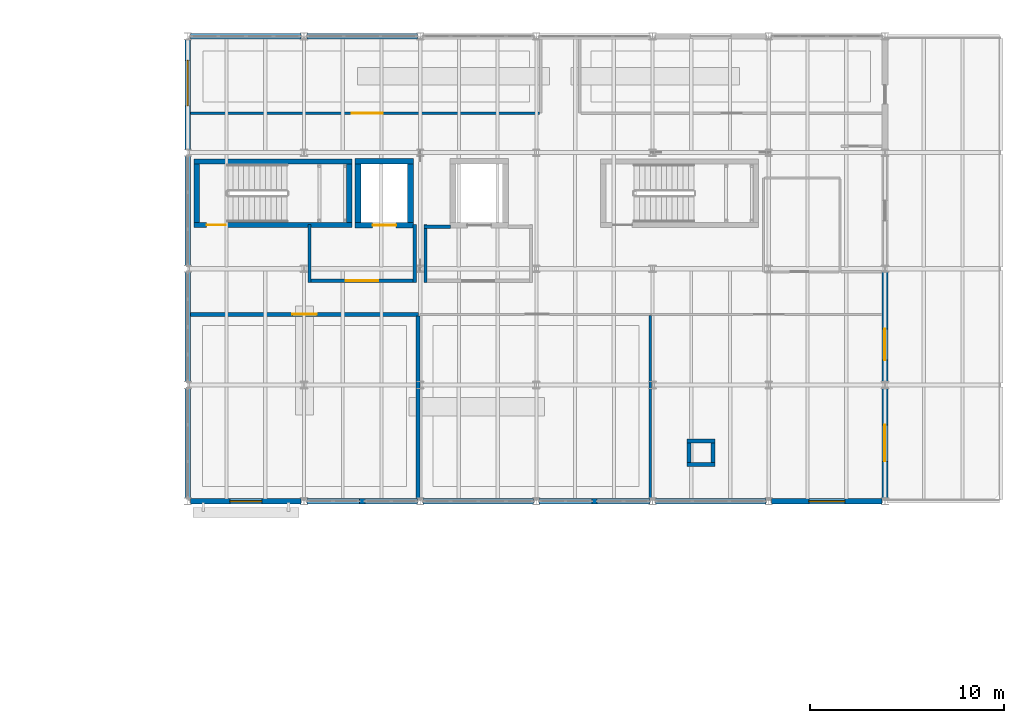
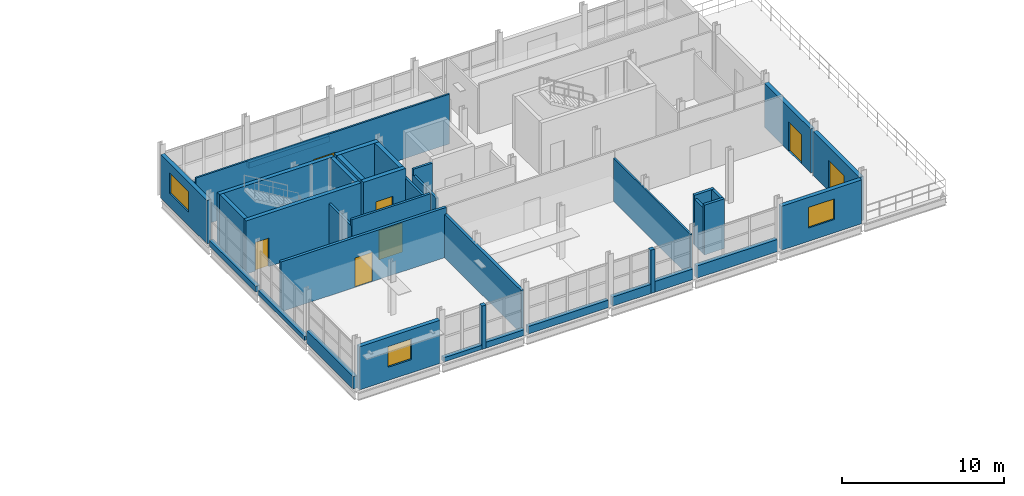
# One storey, part 38 of 45: 39 walls, 7 doors, 3 windows, 10 openings.
"""IFC4 building model written with IfcOpenShell, lengths in metres."""

import ifcopenshell
import ifcopenshell.guid

model = None  # the IFC model being written
_history = None  # IfcOwnerHistory: only IFC2X3 demands one
_inside = {}  # id of a spatial element -> (the spatial element, [elements in it])
_under = {}  # id of a project, library or spatial element -> (it, [spatial elements below it])
_declared = {}  # id of a project -> (the project, [libraries it declares])
_typed = {}  # id of a type object -> (the type object, [elements of that type])
_made_of = {}  # id of a material, layer set ... -> (it, [elements and type objects made of it])


def new_model(schema):
    """Start an empty IFC model of exactly this schema.

    Asked for "IFC4X3", IfcOpenShell would pick the latest addendum, in which some entities
    have other attributes; the version numbers below select the first issue.
    IFC2X3 requires an IfcOwnerHistory on every rooted entity: one is made here for all.
    """
    global model, _history
    if schema == "IFC4X3":
        model = ifcopenshell.file(schema_version=(4, 3, 0, 0))
    else:
        model = ifcopenshell.file(schema=schema)
    _inside.clear()
    _under.clear()
    _declared.clear()
    _typed.clear()
    _made_of.clear()
    _history = None
    if model.schema == "IFC2X3":
        org = make("IfcOrganization", Name="unknown")
        user = make(
            "IfcPersonAndOrganization",
            ThePerson=make("IfcPerson", FamilyName="unknown"),
            TheOrganization=org,
        )
        app = make(
            "IfcApplication",
            ApplicationDeveloper=org,
            Version="unknown",
            ApplicationFullName="unknown",
            ApplicationIdentifier="unknown",
        )
        _history = make(
            "IfcOwnerHistory",
            OwningUser=user,
            OwningApplication=app,
            ChangeAction="ADDED",
            CreationDate=0,
        )
    return model


def make(cls, **values):
    """One entity of the class cls with the attributes given. An attribute that is None is left unset."""
    return model.create_entity(
        cls, **{name: value for name, value in values.items() if value is not None}
    )


def rooted(cls, **values):
    """An entity with a GlobalId (a new one), such as an element, a storey or a relation."""
    return make(cls, GlobalId=ifcopenshell.guid.new(), OwnerHistory=_history, **values)


def si_unit(unit_type, name, prefix=None):
    """IfcSIUnit, for example si_unit("LENGTHUNIT", "METRE", prefix="MILLI")."""
    return make("IfcSIUnit", UnitType=unit_type, Prefix=prefix, Name=name)


def assignment(units):
    """IfcUnitAssignment: the units of a project."""
    return None if units is None else make("IfcUnitAssignment", Units=units)


def point(xyz):
    """IfcCartesianPoint."""
    return None if xyz is None else make("IfcCartesianPoint", Coordinates=xyz)


def direction(xyz):
    """IfcDirection."""
    return None if xyz is None else make("IfcDirection", DirectionRatios=xyz)


def frame(location, z_axis=None, x_axis=None):
    """IfcAxis2Placement3D, a coordinate frame: its origin and axes. An axis left out is left unset."""
    return make(
        "IfcAxis2Placement3D",
        Location=point(location),
        Axis=direction(z_axis),
        RefDirection=direction(x_axis),
    )


def frame_2d(location, x_axis=None):
    """IfcAxis2Placement2D, a coordinate frame in the plane: its origin and x axis."""
    return make(
        "IfcAxis2Placement2D", Location=point(location), RefDirection=direction(x_axis)
    )


def origin():
    """The frame at (0, 0, 0) with its axes left unset."""
    return frame((0.0, 0.0, 0.0))


def place(relative_to, where):
    """IfcLocalPlacement: puts the frame where relative to a parent placement (None: the world)."""
    return make(
        "IfcLocalPlacement", PlacementRelTo=relative_to, RelativePlacement=where
    )


def context(
    kind, dimensions, precision=None, world=None, true_north=None, identifier=None
):
    """IfcGeometricRepresentationContext, for example the 3D "Model" context."""
    return make(
        "IfcGeometricRepresentationContext",
        ContextIdentifier=identifier,
        ContextType=kind,
        CoordinateSpaceDimension=dimensions,
        Precision=precision,
        WorldCoordinateSystem=world,
        TrueNorth=true_north,
    )


def subcontext(parent, identifier, kind, view, scale=None):
    """IfcGeometricRepresentationSubContext, for example "Body" below "Model"."""
    return make(
        "IfcGeometricRepresentationSubContext",
        ContextIdentifier=identifier,
        ContextType=kind,
        ParentContext=parent,
        TargetScale=scale,
        TargetView=view,
    )


def project(units=None, contexts=None):
    """IfcProject with its units and contexts."""
    return rooted(
        "IfcProject",
        Name="project",
        RepresentationContexts=contexts,
        UnitsInContext=assignment(units),
    )


def spatial(cls, under=None, at=None, **own):
    """A site, building, storey or space (cls), placed at a placement, below another one or the project."""
    s = rooted(cls, ObjectPlacement=at, **own)
    if under is not None:
        _under.setdefault(under.id(), (under, []))[1].append(s)
    return s


def profile(cls, at=None, kind="AREA", **sizes):
    """A parametric profile (cls). Its sizes go by their IFC names, for example OverallWidth=200.0."""
    return make(cls, ProfileType=kind, Position=at, **sizes)


def rectangle(**sizes):
    """IfcRectangleProfileDef."""
    return profile("IfcRectangleProfileDef", **sizes)


def extrude(swept, where, along, depth):
    """IfcExtrudedAreaSolid: the profile swept, set in the frame where, extruded along a direction by depth."""
    return make(
        "IfcExtrudedAreaSolid",
        SweptArea=swept,
        Position=where,
        ExtrudedDirection=direction(along),
        Depth=depth,
    )


def shape(context_of_items, identifier, shape_type, items):
    """IfcShapeRepresentation: the items that make up one representation, for example the "Body"."""
    return make(
        "IfcShapeRepresentation",
        ContextOfItems=context_of_items,
        RepresentationIdentifier=identifier,
        RepresentationType=shape_type,
        Items=items,
    )


def material(Name=None, Category=None):
    """IfcMaterial."""
    return make("IfcMaterial", Name=Name, Category=Category)


def layer(
    of_material, thickness, ventilated=None, Name=None, Category=None, Priority=None
):
    """IfcMaterialLayer: one layer of a wall or slab, of a material (None: an air gap)."""
    return make(
        "IfcMaterialLayer",
        Material=of_material,
        LayerThickness=thickness,
        IsVentilated=ventilated,
        Name=Name,
        Category=Category,
        Priority=Priority,
    )


def layer_set(layers, Name=None):
    """IfcMaterialLayerSet."""
    return make("IfcMaterialLayerSet", MaterialLayers=layers, LayerSetName=Name)


def made_of(thing, what):
    """Note that an element or type object is made of a material, layer set ...; save() writes the relation."""
    if what is not None:
        _made_of.setdefault(what.id(), (what, []))[1].append(thing)
    return thing


def type_object(cls, material=None, **own):
    """A type object (cls), such as IfcWallType, which elements share."""
    return made_of(rooted(cls, **own), material)


def element(
    cls,
    number,
    at=None,
    inside=None,
    cuts=None,
    type_object=None,
    material=None,
    context=None,
    identifier="Body",
    shape_type=None,
    held_by="IfcProductDefinitionShape",
    body=None,
    shapes=None,
    **own,
):
    """One element of the class cls, such as IfcWall. Its Tag is "e" and its number.

    at: its placement. inside: the storey or other place that contains it. cuts: it is an
    opening in that element (IfcRelVoidsElement). A single representation is given by context,
    identifier, shape_type and body (its items); several are given by shapes. held_by: the class
    of the entity that holds the representations. save() writes the other relations.
    """
    e = rooted(cls, Tag="e%d" % number, ObjectPlacement=at, **own)
    if body is not None:
        shapes = [shape(context, identifier, shape_type, body)]
    if shapes is not None:
        e.Representation = make(held_by, Representations=shapes)
    if inside is not None:
        _inside.setdefault(inside.id(), (inside, []))[1].append(e)
    if cuts is not None:
        rooted(
            "IfcRelVoidsElement", RelatingBuildingElement=cuts, RelatedOpeningElement=e
        )
    if type_object is not None:
        _typed.setdefault(type_object.id(), (type_object, []))[1].append(e)
    return made_of(e, material)


def fill(opening, filler):
    """IfcRelFillsElement: the door or window that sits in an opening."""
    return rooted(
        "IfcRelFillsElement",
        RelatingOpeningElement=opening,
        RelatedBuildingElement=filler,
    )


def aggregate(whole, parts):
    """IfcRelAggregates: a whole, such as a stair, and the parts it consists of."""
    return rooted("IfcRelAggregates", RelatingObject=whole, RelatedObjects=parts)


def save(model, path):
    """Write the relations noted so far, then the file.

    IfcRelAggregates (storeys below a building ...), IfcRelContainedInSpatialStructure (elements
    in a storey), IfcRelDefinesByType, IfcRelAssociatesMaterial and IfcRelDeclares: one each for
    every whole, place, type object, material and project.
    """
    for whole, parts in _under.values():
        aggregate(whole, parts)
    for where, things in _inside.values():
        rooted(
            "IfcRelContainedInSpatialStructure",
            RelatedElements=things,
            RelatingStructure=where,
        )
    for kind, things in _typed.values():
        rooted("IfcRelDefinesByType", RelatedObjects=things, RelatingType=kind)
    for what, things in _made_of.values():
        rooted("IfcRelAssociatesMaterial", RelatedObjects=things, RelatingMaterial=what)
    for by, libraries in _declared.values():
        rooted("IfcRelDeclares", RelatingContext=by, RelatedDefinitions=libraries)
    model.write(path)


model = new_model("IFC4")

# Units and contexts
model_context = context("Model", 3, precision=1e-05, world=origin(), true_north=direction((0.0, 1.0)))
body_context = subcontext(model_context, "Body", "Model", "MODEL_VIEW")
ifc_project = project(units=[si_unit("LENGTHUNIT", "METRE"), si_unit("AREAUNIT", "SQUARE_METRE"), si_unit("VOLUMEUNIT", "CUBIC_METRE"), si_unit("PLANEANGLEUNIT", "RADIAN"), si_unit("MASSUNIT", "GRAM", prefix="KILO")], contexts=[model_context])

# Site, building, storey
site_placement = place(None, origin())
site = spatial("IfcSite", under=ifc_project, at=site_placement, CompositionType="ELEMENT")
building_placement = place(site_placement, origin())
building = spatial("IfcBuilding", under=site, at=building_placement, Name="Siltcreek Boulevard Central Fire Station", CompositionType="ELEMENT")
storey_placement = place(building_placement, frame((0.0, 0.0, 10.0)))
storey = spatial("IfcBuildingStorey", under=building, at=storey_placement, Name="L03", CompositionType="ELEMENT", Elevation=10.0)

# Wall, opening, door
ifc_material_1 = material(Name="Concrete C40/50", Category="concrete")
ifc_layer_1 = layer(ifc_material_1, 0.280029296875, Name="Concrete C40/50")
ifc_layer_set_1 = layer_set([ifc_layer_1], Name="Concrete C40/50")
wall_type_1 = type_object("IfcWallType", Name="CW_SHEAR280", PredefinedType="SHEAR", material=ifc_layer_set_1)
wall_1_placement = place(storey_placement, frame((124.52001953125, 102.4599609375, 0.0), z_axis=(0.0, 0.0, 1.0), x_axis=(1.0, 0.0, 0.0)))
wall_1 = element("IfcWall", 1, at=wall_1_placement, inside=storey, type_object=wall_type_1, Name="L03 ST-V5A stair enclosure south shear wall", PredefinedType="SHEAR", context=body_context, shape_type="SweptSolid", body=[
    extrude(rectangle(XDim=8.159912109375, YDim=0.280029296875, at=frame_2d((4.080078125, 0.0))), origin(), (0.0, 0.0, 1.0), 4.0),
])
opening_1_placement = place(wall_1_placement, frame((0.64990234375, 0.0, 0.0)))
opening_1 = element("IfcOpeningElement", 2, at=opening_1_placement, cuts=wall_1, Name="Opening SD-035", PredefinedType="OPENING", context=body_context, shape_type="SweptSolid", body=[
    extrude(rectangle(XDim=0.97998046875, YDim=2.14990234375, at=frame_2d((0.489990234375, 1.074951171875))), frame((0.0, 0.14990234375, 0.0), z_axis=(0.0, -1.0, 0.0), x_axis=(1.0, 0.0, 0.0)), (0.0, 0.0, 1.0), 0.300048828125),
])
ifc_material_2 = material(Name="Hollow metal 90-min enclosed stair door")
door_type_1 = type_object("IfcDoorType", Name="DR_ST_098X215", OperationType="NOTDEFINED", PredefinedType="DOOR", material=ifc_material_2)
door_1_placement = place(opening_1_placement, origin())
door_1 = element("IfcDoor", 3, at=door_1_placement, inside=storey, type_object=door_type_1, Name="L03 ST-V5A enclosed exit stair door SD-035", OperationType="SINGLE_SWING_RIGHT", OverallHeight=2.14990234375, OverallWidth=0.97998046875, PredefinedType="DOOR", context=body_context, shape_type="SweptSolid", body=[
    extrude(rectangle(XDim=0.97998046875, YDim=2.14990234375, at=frame_2d((0.489990234375, 1.074951171875))), frame((0.0, 0.02490234375, 0.0), z_axis=(0.0, -1.0, 0.0), x_axis=(1.0, 0.0, 0.0)), (0.0, 0.0, 1.0), 0.050048828125),
])
fill(opening_1, door_1)

# Walls
wall_2_placement = place(storey_placement, frame((132.679931640625, 105.739990234375, 0.0), z_axis=(0.0, 0.0, 1.0), x_axis=(-1.0, 0.0, 0.0)))
element("IfcWall", 4, at=wall_2_placement, inside=storey, type_object=wall_type_1, Name="L03 ST-V5A stair enclosure north shear wall", PredefinedType="SHEAR", context=body_context, shape_type="SweptSolid", body=[
    extrude(rectangle(XDim=8.159912109375, YDim=0.280029296875, at=frame_2d((4.080078125, 0.0))), origin(), (0.0, 0.0, 1.0), 4.0),
])
for number, where, z_axis, x_axis, name in (
    (5, (124.659912109375, 105.60009765625, 0.0), (0.0, 0.0, 1.0), (0.0, -1.0, 0.0), "L03 ST-V5A stair enclosure west shear wall"),
    (6, (132.5400390625, 102.60009765625, 0.0), (0.0, 0.0, 1.0), (0.0, 1.0, 0.0), "L03 ST-V5A stair enclosure east shear wall"),
):
    element("IfcWall", number, at=place(storey_placement, frame(where, z_axis=z_axis, x_axis=x_axis)), inside=storey, type_object=wall_type_1, Name=name, PredefinedType="SHEAR", context=body_context, shape_type="SweptSolid", body=[
        extrude(rectangle(XDim=3.0, YDim=0.280029296875, at=frame_2d((1.5, 0.0))), origin(), (0.0, 0.0, 1.0), 4.0),
    ])

# Wall, opening, door
ifc_layer_2 = layer(ifc_material_1, 0.304931640625, Name="Concrete C40/50")
ifc_layer_set_2 = layer_set([ifc_layer_2], Name="Concrete C40/50")
wall_type_2 = type_object("IfcWallType", Name="CW_SHEAR305", PredefinedType="SHEAR", material=ifc_layer_set_2)
wall_3_placement = place(storey_placement, frame((132.844970703125, 102.447509765625, 0.0), z_axis=(0.0, 0.0, 1.0), x_axis=(1.0, 0.0, 0.0)))
wall_3 = element("IfcWall", 7, at=wall_3_placement, inside=storey, type_object=wall_type_2, Name="L03 EL-01 elevator shaft south shear wall", PredefinedType="SHEAR", context=body_context, shape_type="SweptSolid", body=[
    extrude(rectangle(XDim=3.010009765625, YDim=0.304931640625, at=frame_2d((1.5048828125, 0.0))), origin(), (0.0, 0.0, 1.0), 4.0),
])
opening_2_placement = place(wall_3_placement, frame((0.89501953125, 0.0, 0.0)))
opening_2 = element("IfcOpeningElement", 8, at=opening_2_placement, cuts=wall_3, Name="Opening LD02", PredefinedType="OPENING", context=body_context, shape_type="SweptSolid", body=[
    extrude(rectangle(XDim=1.219970703125, YDim=2.219970703125, at=frame_2d((0.60986328125, 1.10986328125))), frame((0.0, 0.162353515625, 0.0), z_axis=(0.0, -1.0, 0.0), x_axis=(1.0, 0.0, 0.0)), (0.0, 0.0, 1.0), 0.324951171875),
])
ifc_material_3 = material(Name="Stainless steel firefighting sliding elevator landing door", Category="steel")
door_type_2 = type_object("IfcDoorType", Name="DR_LD_122X222", OperationType="NOTDEFINED", PredefinedType="DOOR", material=ifc_material_3)
door_2_placement = place(opening_2_placement, origin())
door_2 = element("IfcDoor", 9, at=door_2_placement, inside=storey, type_object=door_type_2, Name="L03 EL-01 elevator sliding landing door LD-04", OperationType="SLIDING_TO_LEFT", OverallHeight=2.219970703125, OverallWidth=1.219970703125, PredefinedType="DOOR", context=body_context, shape_type="SweptSolid", body=[
    extrude(rectangle(XDim=1.219970703125, YDim=2.219970703125, at=frame_2d((0.60986328125, 1.10986328125))), frame((0.0, 0.02490234375, 0.0), z_axis=(0.0, -1.0, 0.0), x_axis=(1.0, 0.0, 0.0)), (0.0, 0.0, 1.0), 0.050048828125),
])
fill(opening_2, door_2)

# Walls
wall_4_placement = place(storey_placement, frame((135.85498046875, 105.75244140625, 0.0), z_axis=(0.0, 0.0, 1.0), x_axis=(-1.0, 0.0, 0.0)))
element("IfcWall", 10, at=wall_4_placement, inside=storey, type_object=wall_type_2, Name="L03 EL-01 elevator shaft north shear wall", PredefinedType="SHEAR", context=body_context, shape_type="SweptSolid", body=[
    extrude(rectangle(XDim=3.010009765625, YDim=0.304931640625, at=frame_2d((1.5048828125, 0.0))), origin(), (0.0, 0.0, 1.0), 4.0),
])
for number, where, z_axis, x_axis, name in (
    (11, (132.99755859375, 105.60009765625, 0.0), (0.0, 0.0, 1.0), (0.0, -1.0, 0.0), "L03 EL-01 elevator shaft west shear wall"),
    (12, (135.702392578125, 102.60009765625, 0.0), (0.0, 0.0, 1.0), (0.0, 1.0, 0.0), "L03 EL-01 elevator shaft east shear wall"),
):
    element("IfcWall", number, at=place(storey_placement, frame(where, z_axis=z_axis, x_axis=x_axis)), inside=storey, type_object=wall_type_2, Name=name, PredefinedType="SHEAR", context=body_context, shape_type="SweptSolid", body=[
        extrude(rectangle(XDim=3.0, YDim=0.304931640625, at=frame_2d((1.5, 0.0))), origin(), (0.0, 0.0, 1.0), 4.0),
    ])

# Wall, opening, window
ifc_material_4 = material(Name="White ribbed aluminum spandrel wall", Category="aluminium")
ifc_layer_3 = layer(ifc_material_4, 0.2900390625, Name="White ribbed aluminum spandrel wall")
ifc_layer_set_3 = layer_set([ifc_layer_3], Name="White ribbed aluminum spandrel wall")
wall_type_3 = type_object("IfcWallType", Name="EW_METAL290", PredefinedType="STANDARD", material=ifc_layer_set_3)
wall_5_placement = place(storey_placement, frame((124.344970703125, 88.199951171875, 0.0), z_axis=(0.0, 0.0, 1.0), x_axis=(1.0, 0.0, 0.0)))
wall_5 = element("IfcWall", 13, at=wall_5_placement, inside=storey, type_object=wall_type_3, Name="L03 V5 exterior insulated rainscreen wall WL-EXT-L03-0371", PredefinedType="STANDARD", context=body_context, shape_type="SweptSolid", body=[
    extrude(rectangle(XDim=5.7099609375, YDim=0.2900390625, at=frame_2d((2.85498046875, 0.0))), origin(), (0.0, 0.0, 1.0), 3.2490234375),
])
opening_3_placement = place(wall_5_placement, frame((2.030029296875, 0.0, 1.0)))
opening_3 = element("IfcOpeningElement", 14, at=opening_3_placement, cuts=wall_5, Name="Opening WN13", PredefinedType="OPENING", context=body_context, shape_type="SweptSolid", body=[
    extrude(rectangle(XDim=1.64990234375, YDim=1.550048828125, at=frame_2d((0.824951171875, 0.77490234375))), frame((0.0, 0.155029296875, 0.0), z_axis=(0.0, -1.0, 0.0), x_axis=(1.0, 0.0, 0.0)), (0.0, 0.0, 1.0), 0.31005859375),
])
ifc_material_5 = material(Name="Thermally broken aluminum frame with low-E insulated glass", Category="aluminium")
window_type_1 = type_object("IfcWindowType", Name="WN_PB_165X155", PartitioningType="SINGLE_PANEL", PredefinedType="WINDOW", material=ifc_material_5)
window_1_placement = place(opening_3_placement, origin())
window_1 = element("IfcWindow", 15, at=window_1_placement, inside=storey, type_object=window_type_1, Name="L03 V5 exterior window WN-0154", OverallHeight=1.550048828125, OverallWidth=1.64990234375, PartitioningType="SINGLE_PANEL", PredefinedType="WINDOW", context=body_context, shape_type="SweptSolid", body=[
    extrude(rectangle(XDim=1.64990234375, YDim=1.550048828125, at=frame_2d((0.824951171875, 0.77490234375))), frame((0.0, 0.030029296875, 0.0), z_axis=(0.0, -1.0, 0.0), x_axis=(1.0, 0.0, 0.0)), (0.0, 0.0, 1.0), 0.06005859375),
])
fill(opening_3, window_1)

# Walls
wall_6_placement = place(storey_placement, frame((133.06005859375, 88.199951171875, 0.0), z_axis=(0.0, 0.0, 1.0), x_axis=(1.0, 0.0, 0.0)))
element("IfcWall", 16, at=wall_6_placement, inside=storey, type_object=wall_type_3, Name="L03 V5 facade pier 0372", PredefinedType="STANDARD", context=body_context, shape_type="SweptSolid", body=[
    extrude(rectangle(XDim=0.280029296875, YDim=0.2900390625, at=frame_2d((0.14013671875, 0.0))), origin(), (0.0, 0.0, 1.0), 3.2490234375),
])
wall_7_placement = place(storey_placement, frame((130.344970703125, 88.199951171875, 0.0), z_axis=(0.0, 0.0, 1.0), x_axis=(1.0, 0.0, 0.0)))
element("IfcWall", 17, at=wall_7_placement, inside=storey, type_object=wall_type_3, Name="L03 V5 curtain-wall sill spandrel 0373", PredefinedType="STANDARD", context=body_context, shape_type="SweptSolid", body=[
    extrude(rectangle(XDim=2.715087890625, YDim=0.2900390625, at=frame_2d((1.357421875, 0.0))), origin(), (0.0, 0.0, 1.0), 0.320068359375),
])
wall_8_placement = place(storey_placement, frame((133.340087890625, 88.199951171875, 0.0), z_axis=(0.0, 0.0, 1.0), x_axis=(1.0, 0.0, 0.0)))
element("IfcWall", 18, at=wall_8_placement, inside=storey, type_object=wall_type_3, Name="L03 V5 curtain-wall sill spandrel 0374", PredefinedType="STANDARD", context=body_context, shape_type="SweptSolid", body=[
    extrude(rectangle(XDim=2.71484375, YDim=0.2900390625, at=frame_2d((1.357421875, 0.0))), origin(), (0.0, 0.0, 1.0), 0.43994140625),
])
wall_9_placement = place(storey_placement, frame((136.344970703125, 88.199951171875, 0.0), z_axis=(0.0, 0.0, 1.0), x_axis=(1.0, 0.0, 0.0)))
element("IfcWall", 19, at=wall_9_placement, inside=storey, type_object=wall_type_3, Name="L03 V5 curtain-wall sill spandrel 0375", PredefinedType="STANDARD", context=body_context, shape_type="SweptSolid", body=[
    extrude(rectangle(XDim=5.7099609375, YDim=0.2900390625, at=frame_2d((2.85498046875, 0.0))), origin(), (0.0, 0.0, 1.0), 0.56005859375),
])
wall_10_placement = place(storey_placement, frame((145.06005859375, 88.199951171875, 0.0), z_axis=(0.0, 0.0, 1.0), x_axis=(1.0, 0.0, 0.0)))
element("IfcWall", 20, at=wall_10_placement, inside=storey, type_object=wall_type_3, Name="L03 V5 facade pier 0376", PredefinedType="STANDARD", context=body_context, shape_type="SweptSolid", body=[
    extrude(rectangle(XDim=0.280029296875, YDim=0.2900390625, at=frame_2d((0.14013671875, 0.0))), origin(), (0.0, 0.0, 1.0), 3.2490234375),
])
wall_11_placement = place(storey_placement, frame((142.344970703125, 88.199951171875, 0.0), z_axis=(0.0, 0.0, 1.0), x_axis=(1.0, 0.0, 0.0)))
element("IfcWall", 21, at=wall_11_placement, inside=storey, type_object=wall_type_3, Name="L03 V5 curtain-wall sill spandrel 0377", PredefinedType="STANDARD", context=body_context, shape_type="SweptSolid", body=[
    extrude(rectangle(XDim=2.715087890625, YDim=0.2900390625, at=frame_2d((1.357421875, 0.0))), origin(), (0.0, 0.0, 1.0), 0.679931640625),
])
wall_12_placement = place(storey_placement, frame((145.340087890625, 88.199951171875, 0.0), z_axis=(0.0, 0.0, 1.0), x_axis=(1.0, 0.0, 0.0)))
element("IfcWall", 22, at=wall_12_placement, inside=storey, type_object=wall_type_3, Name="L03 V5 curtain-wall sill spandrel 0378", PredefinedType="STANDARD", context=body_context, shape_type="SweptSolid", body=[
    extrude(rectangle(XDim=2.71484375, YDim=0.2900390625, at=frame_2d((1.357421875, 0.0))), origin(), (0.0, 0.0, 1.0), 0.800048828125),
])
wall_13_placement = place(storey_placement, frame((148.344970703125, 88.199951171875, 0.0), z_axis=(0.0, 0.0, 1.0), x_axis=(1.0, 0.0, 0.0)))
element("IfcWall", 23, at=wall_13_placement, inside=storey, type_object=wall_type_3, Name="L03 V5 curtain-wall sill spandrel 0379", PredefinedType="STANDARD", context=body_context, shape_type="SweptSolid", body=[
    extrude(rectangle(XDim=5.7099609375, YDim=0.2900390625, at=frame_2d((2.85498046875, 0.0))), origin(), (0.0, 0.0, 1.0), 0.919921875),
])

# Wall, opening, window
wall_14_placement = place(storey_placement, frame((154.344970703125, 88.199951171875, 0.0), z_axis=(0.0, 0.0, 1.0), x_axis=(1.0, 0.0, 0.0)))
wall_14 = element("IfcWall", 24, at=wall_14_placement, inside=storey, type_object=wall_type_3, Name="L03 V5 exterior insulated rainscreen wall WL-EXT-L03-0380", PredefinedType="STANDARD", context=body_context, shape_type="SweptSolid", body=[
    extrude(rectangle(XDim=5.7099609375, YDim=0.2900390625, at=frame_2d((2.85498046875, 0.0))), origin(), (0.0, 0.0, 1.0), 3.299072265625),
])
opening_4_placement = place(wall_14_placement, frame((1.929931640625, 0.0, 1.0)))
opening_4 = element("IfcOpeningElement", 25, at=opening_4_placement, cuts=wall_14, Name="Opening WN14", PredefinedType="OPENING", context=body_context, shape_type="SweptSolid", body=[
    extrude(rectangle(XDim=1.85009765625, YDim=1.550048828125, at=frame_2d((0.925048828125, 0.77490234375))), frame((0.0, 0.155029296875, 0.0), z_axis=(0.0, -1.0, 0.0), x_axis=(1.0, 0.0, 0.0)), (0.0, 0.0, 1.0), 0.31005859375),
])
window_type_2 = type_object("IfcWindowType", Name="WN_PB_185X155", PartitioningType="SINGLE_PANEL", PredefinedType="WINDOW", material=ifc_material_5)
window_2_placement = place(opening_4_placement, origin())
window_2 = element("IfcWindow", 26, at=window_2_placement, inside=storey, type_object=window_type_2, Name="L03 V5 exterior window WN-0155", OverallHeight=1.550048828125, OverallWidth=1.85009765625, PartitioningType="SINGLE_PANEL", PredefinedType="WINDOW", context=body_context, shape_type="SweptSolid", body=[
    extrude(rectangle(XDim=1.85009765625, YDim=1.550048828125, at=frame_2d((0.925048828125, 0.77490234375))), frame((0.0, 0.030029296875, 0.0), z_axis=(0.0, -1.0, 0.0), x_axis=(1.0, 0.0, 0.0)), (0.0, 0.0, 1.0), 0.06005859375),
])
fill(opening_4, window_2)

# Walls
wall_15_placement = place(storey_placement, frame((130.054931640625, 112.199951171875, 0.0), z_axis=(0.0, 0.0, 1.0), x_axis=(-1.0, 0.0, 0.0)))
element("IfcWall", 27, at=wall_15_placement, inside=storey, type_object=wall_type_3, Name="L03 V5 curtain-wall sill spandrel 0381", PredefinedType="STANDARD", context=body_context, shape_type="SweptSolid", body=[
    extrude(rectangle(XDim=5.7099609375, YDim=0.2900390625, at=frame_2d((2.85498046875, 0.0))), origin(), (0.0, 0.0, 1.0), 0.320068359375),
])
wall_16_placement = place(storey_placement, frame((136.054931640625, 112.199951171875, 0.0), z_axis=(0.0, 0.0, 1.0), x_axis=(-1.0, 0.0, 0.0)))
element("IfcWall", 28, at=wall_16_placement, inside=storey, type_object=wall_type_3, Name="L03 V5 curtain-wall sill spandrel 0382", PredefinedType="STANDARD", context=body_context, shape_type="SweptSolid", body=[
    extrude(rectangle(XDim=5.7099609375, YDim=0.2900390625, at=frame_2d((2.85498046875, 0.0))), origin(), (0.0, 0.0, 1.0), 0.43994140625),
])
wall_17_placement = place(storey_placement, frame((124.199951171875, 94.054931640625, 0.0), z_axis=(0.0, 0.0, 1.0), x_axis=(0.0, -1.0, 0.0)))
element("IfcWall", 29, at=wall_17_placement, inside=storey, type_object=wall_type_3, Name="L03 V5 curtain-wall sill spandrel 0387", PredefinedType="STANDARD", context=body_context, shape_type="SweptSolid", body=[
    extrude(rectangle(XDim=5.7099609375, YDim=0.2900390625, at=frame_2d((2.85498046875, 0.0))), origin(), (0.0, 0.0, 1.0), 0.919921875),
])
wall_18_placement = place(storey_placement, frame((124.199951171875, 100.054931640625, 0.0), z_axis=(0.0, 0.0, 1.0), x_axis=(0.0, -1.0, 0.0)))
element("IfcWall", 30, at=wall_18_placement, inside=storey, type_object=wall_type_3, Name="L03 V5 curtain-wall sill spandrel 0388", PredefinedType="STANDARD", context=body_context, shape_type="SweptSolid", body=[
    extrude(rectangle(XDim=5.7099609375, YDim=0.2900390625, at=frame_2d((2.85498046875, 0.0))), origin(), (0.0, 0.0, 1.0), 0.320068359375),
])
wall_19_placement = place(storey_placement, frame((124.199951171875, 106.054931640625, 0.0), z_axis=(0.0, 0.0, 1.0), x_axis=(0.0, -1.0, 0.0)))
element("IfcWall", 31, at=wall_19_placement, inside=storey, type_object=wall_type_3, Name="L03 V5 curtain-wall sill spandrel 0389", PredefinedType="STANDARD", context=body_context, shape_type="SweptSolid", body=[
    extrude(rectangle(XDim=5.7099609375, YDim=0.2900390625, at=frame_2d((2.85498046875, 0.0))), origin(), (0.0, 0.0, 1.0), 0.43994140625),
])

# Wall, opening, window
wall_20_placement = place(storey_placement, frame((124.199951171875, 112.054931640625, 0.0), z_axis=(0.0, 0.0, 1.0), x_axis=(0.0, -1.0, 0.0)))
wall_20 = element("IfcWall", 32, at=wall_20_placement, inside=storey, type_object=wall_type_3, Name="L03 V5 exterior insulated rainscreen wall WL-EXT-L03-0390", PredefinedType="STANDARD", context=body_context, shape_type="SweptSolid", body=[
    extrude(rectangle(XDim=5.7099609375, YDim=0.2900390625, at=frame_2d((2.85498046875, 0.0))), origin(), (0.0, 0.0, 1.0), 3.2529296875),
])
opening_5_placement = place(wall_20_placement, frame((1.0947265625, 0.0, 1.0)))
opening_5 = element("IfcOpeningElement", 33, at=opening_5_placement, cuts=wall_20, Name="Opening WN16", PredefinedType="OPENING", context=body_context, shape_type="SweptSolid", body=[
    extrude(rectangle(XDim=2.35009765625, YDim=1.550048828125, at=frame_2d((1.175048828125, 0.77490234375))), frame((0.0, 0.155029296875, 0.0), z_axis=(0.0, -1.0, 0.0), x_axis=(1.0, 0.0, 0.0)), (0.0, 0.0, 1.0), 0.31005859375),
])
window_type_3 = type_object("IfcWindowType", Name="WN_PB_235X155", PartitioningType="SINGLE_PANEL", PredefinedType="WINDOW", material=ifc_material_5)
window_3_placement = place(opening_5_placement, origin())
window_3 = element("IfcWindow", 34, at=window_3_placement, inside=storey, type_object=window_type_3, Name="L03 V5 exterior window WN-0157", OverallHeight=1.550048828125, OverallWidth=2.35009765625, PartitioningType="SINGLE_PANEL", PredefinedType="WINDOW", context=body_context, shape_type="SweptSolid", body=[
    extrude(rectangle(XDim=2.35009765625, YDim=1.550048828125, at=frame_2d((1.175048828125, 0.77490234375))), frame((0.0, 0.030029296875, 0.0), z_axis=(0.0, -1.0, 0.0), x_axis=(1.0, 0.0, 0.0)), (0.0, 0.0, 1.0), 0.06005859375),
])
fill(opening_5, window_3)

# Wall, opening, door
wall_21_placement = place(storey_placement, frame((160.199951171875, 88.344970703125, 0.0), z_axis=(0.0, 0.0, 1.0), x_axis=(0.0, 1.0, 0.0)))
wall_21 = element("IfcWall", 35, at=wall_21_placement, inside=storey, type_object=wall_type_3, Name="L03 V5 exterior insulated rainscreen wall WL-EXT-L03-0391", PredefinedType="STANDARD", context=body_context, shape_type="SweptSolid", body=[
    extrude(rectangle(XDim=5.7099609375, YDim=0.2900390625, at=frame_2d((2.85498046875, 0.0))), origin(), (0.0, 0.0, 1.0), 3.302978515625),
])
opening_6_placement = place(wall_21_placement, frame((1.9150390625, 0.0, 0.0)))
opening_6 = element("IfcOpeningElement", 36, at=opening_6_placement, cuts=wall_21, Name="Opening TD-029", PredefinedType="OPENING", context=body_context, shape_type="SweptSolid", body=[
    extrude(rectangle(XDim=1.8798828125, YDim=2.280029296875, at=frame_2d((0.93994140625, 1.14013671875))), frame((0.0, 0.155029296875, 0.0), z_axis=(0.0, -1.0, 0.0), x_axis=(1.0, 0.0, 0.0)), (0.0, 0.0, 1.0), 0.31005859375),
])
ifc_material_6 = material(Name="Thermally broken glazed terrace double door")
door_type_3 = type_object("IfcDoorType", Name="DR_TER_188X228", OperationType="NOTDEFINED", PredefinedType="DOOR", material=ifc_material_6)
door_3_placement = place(opening_6_placement, frame((1.8798828125, 0.0, 0.0), z_axis=(0.0, 0.0, 1.0), x_axis=(-1.0, 0.0, 0.0)))
door_3 = element("IfcDoor", 37, at=door_3_placement, inside=storey, type_object=door_type_3, Name="L03 V5 outdoor terrace access door TD-029", OperationType="DOUBLE_DOOR_SINGLE_SWING", OverallHeight=2.280029296875, OverallWidth=1.8798828125, PredefinedType="DOOR", context=body_context, shape_type="SweptSolid", body=[
    extrude(rectangle(XDim=1.8798828125, YDim=2.280029296875, at=frame_2d((0.93994140625, 1.14013671875))), frame((0.0, 0.02490234375, 0.0), z_axis=(0.0, -1.0, 0.0), x_axis=(1.0, 0.0, 0.0)), (0.0, 0.0, 1.0), 0.050048828125),
])
fill(opening_6, door_3)

wall_22_placement = place(storey_placement, frame((160.199951171875, 94.344970703125, 0.0), z_axis=(0.0, 0.0, 1.0), x_axis=(0.0, 1.0, 0.0)))
wall_22 = element("IfcWall", 38, at=wall_22_placement, inside=storey, type_object=wall_type_3, Name="L03 V5 exterior insulated rainscreen wall WL-EXT-L03-0392", PredefinedType="STANDARD", context=body_context, shape_type="SweptSolid", body=[
    extrude(rectangle(XDim=5.7099609375, YDim=0.2900390625, at=frame_2d((2.85498046875, 0.0))), origin(), (0.0, 0.0, 1.0), 3.302978515625),
])
opening_7_placement = place(wall_22_placement, frame((1.132568359375, 0.0, 0.0)))
opening_7 = element("IfcOpeningElement", 39, at=opening_7_placement, cuts=wall_22, Name="Opening TD-030", PredefinedType="OPENING", context=body_context, shape_type="SweptSolid", body=[
    extrude(rectangle(XDim=1.6201171875, YDim=2.199951171875, at=frame_2d((0.81005859375, 1.10009765625))), frame((0.0, 0.155029296875, 0.0), z_axis=(0.0, -1.0, 0.0), x_axis=(1.0, 0.0, 0.0)), (0.0, 0.0, 1.0), 0.31005859375),
])
ifc_material_7 = material(Name="Thermally broken glazed terrace pair")
door_type_4 = type_object("IfcDoorType", Name="DR_TER_162X220", OperationType="NOTDEFINED", PredefinedType="DOOR", material=ifc_material_7)
door_4_placement = place(opening_7_placement, frame((1.6201171875, 0.0, 0.0), z_axis=(0.0, 0.0, 1.0), x_axis=(-1.0, 0.0, 0.0)))
door_4 = element("IfcDoor", 40, at=door_4_placement, inside=storey, type_object=door_type_4, Name="L03 V5 outdoor terrace access door TD-030", OperationType="DOUBLE_DOOR_SINGLE_SWING", OverallHeight=2.199951171875, OverallWidth=1.6201171875, PredefinedType="DOOR", context=body_context, shape_type="SweptSolid", body=[
    extrude(rectangle(XDim=1.6201171875, YDim=2.199951171875, at=frame_2d((0.81005859375, 1.10009765625))), frame((0.0, 0.02490234375, 0.0), z_axis=(0.0, -1.0, 0.0), x_axis=(1.0, 0.0, 0.0)), (0.0, 0.0, 1.0), 0.050048828125),
])
fill(opening_7, door_4)

# Walls
ifc_material_8 = material(Name="Fire-rated concrete masonry and gypsum barrier", Category="masonry")
ifc_layer_4 = layer(ifc_material_8, 0.199951171875, Name="Fire-rated concrete masonry and gypsum barrier")
ifc_layer_set_4 = layer_set([ifc_layer_4], Name="Fire-rated concrete masonry and gypsum barrier")
wall_type_4 = type_object("IfcWallType", Name="IW_FIRE200", PredefinedType="PARTITIONING", material=ifc_layer_set_4)
wall_23_placement = place(storey_placement, frame((149.985107421875, 90.0849609375, 0.0), z_axis=(0.0, 0.0, 1.0), x_axis=(1.0, 0.0, 0.0)))
element("IfcWall", 41, at=wall_23_placement, inside=storey, type_object=wall_type_4, Name="L03 enclosed MEP service riser wall 026-S", PredefinedType="PARTITIONING", context=body_context, shape_type="SweptSolid", body=[
    extrude(rectangle(XDim=1.429931640625, YDim=0.199951171875, at=frame_2d((0.71484375, 0.0))), origin(), (0.0, 0.0, 1.0), 3.739990234375),
])
wall_24_placement = place(storey_placement, frame((151.31494140625, 90.18505859375, 0.0), z_axis=(0.0, 0.0, 1.0), x_axis=(0.0, 1.0, 0.0)))
element("IfcWall", 42, at=wall_24_placement, inside=storey, type_object=wall_type_4, Name="L03 enclosed MEP service riser wall 026-E", PredefinedType="PARTITIONING", context=body_context, shape_type="SweptSolid", body=[
    extrude(rectangle(XDim=1.030029296875, YDim=0.199951171875, at=frame_2d((0.51513671875, 0.0))), origin(), (0.0, 0.0, 1.0), 3.739990234375),
])
wall_25_placement = place(storey_placement, frame((151.4150390625, 91.31494140625, 0.0), z_axis=(0.0, 0.0, 1.0), x_axis=(-1.0, 0.0, 0.0)))
element("IfcWall", 43, at=wall_25_placement, inside=storey, type_object=wall_type_4, Name="L03 enclosed MEP service riser wall 026-N", PredefinedType="PARTITIONING", context=body_context, shape_type="SweptSolid", body=[
    extrude(rectangle(XDim=1.429931640625, YDim=0.199951171875, at=frame_2d((0.71484375, 0.0))), origin(), (0.0, 0.0, 1.0), 3.739990234375),
])
wall_26_placement = place(storey_placement, frame((150.0849609375, 91.215087890625, 0.0), z_axis=(0.0, 0.0, 1.0), x_axis=(0.0, -1.0, 0.0)))
element("IfcWall", 44, at=wall_26_placement, inside=storey, type_object=wall_type_4, Name="L03 enclosed MEP service riser wall 026-W", PredefinedType="PARTITIONING", context=body_context, shape_type="SweptSolid", body=[
    extrude(rectangle(XDim=1.030029296875, YDim=0.199951171875, at=frame_2d((0.51513671875, 0.0))), origin(), (0.0, 0.0, 1.0), 3.449951171875),
])

# Wall, opening, door
wall_27_placement = place(storey_placement, frame((124.344970703125, 97.840087890625, 0.0), z_axis=(0.0, 0.0, 1.0), x_axis=(1.0, 0.0, 0.0)))
wall_27 = element("IfcWall", 45, at=wall_27_placement, inside=storey, type_object=wall_type_4, Name="L03 Fire Chief Executive Command Office partition 0282", PredefinedType="PARTITIONING", context=body_context, shape_type="SweptSolid", body=[
    extrude(rectangle(XDim=11.775146484375, YDim=0.199951171875, at=frame_2d((5.8876953125, 0.0))), origin(), (0.0, 0.0, 1.0), 3.739990234375),
])
opening_8_placement = place(wall_27_placement, frame((5.257568359375, 0.0, 0.0)))
opening_8 = element("IfcOpeningElement", 46, at=opening_8_placement, cuts=wall_27, Name="Opening ID10", PredefinedType="OPENING", context=body_context, shape_type="SweptSolid", body=[
    extrude(rectangle(XDim=1.260009765625, YDim=2.199951171875, at=frame_2d((0.6298828125, 1.10009765625))), frame((0.0, 0.10986328125, 0.0), z_axis=(0.0, -1.0, 0.0), x_axis=(1.0, 0.0, 0.0)), (0.0, 0.0, 1.0), 0.219970703125),
])
ifc_material_9 = material(Name="Hollow metal equipment storage door")
door_type_5 = type_object("IfcDoorType", Name="DR_STR_126X220", OperationType="NOTDEFINED", PredefinedType="DOOR", material=ifc_material_9)
door_5_placement = place(opening_8_placement, frame((1.260009765625, 0.0, 0.0), z_axis=(0.0, 0.0, 1.0), x_axis=(-1.0, 0.0, 0.0)))
door_5 = element("IfcDoor", 47, at=door_5_placement, inside=storey, type_object=door_type_5, Name="L03 Fire Chief Executive Command Office door ID-0124", OperationType="SINGLE_SWING_LEFT", OverallHeight=2.199951171875, OverallWidth=1.260009765625, PredefinedType="DOOR", context=body_context, shape_type="SweptSolid", body=[
    extrude(rectangle(XDim=1.260009765625, YDim=2.199951171875, at=frame_2d((0.6298828125, 1.10009765625))), frame((0.0, 0.02490234375, 0.0), z_axis=(0.0, -1.0, 0.0), x_axis=(1.0, 0.0, 0.0)), (0.0, 0.0, 1.0), 0.050048828125),
])
fill(opening_8, door_5)

# Walls
wall_28_placement = place(storey_placement, frame((136.080078125, 97.760009765625, 0.0), z_axis=(0.0, 0.0, 1.0), x_axis=(0.0, -1.0, 0.0)))
element("IfcWall", 48, at=wall_28_placement, inside=storey, type_object=wall_type_4, Name="L03 Fire Chief Executive Command Office partition 0283", PredefinedType="PARTITIONING", context=body_context, shape_type="SweptSolid", body=[
    extrude(rectangle(XDim=9.4150390625, YDim=0.199951171875, at=frame_2d((4.70751953125, 0.0))), origin(), (0.0, 0.0, 1.0), 3.2529296875),
])
ifc_material_10 = material(Name="Interior steel stud gypsum partition", Category="steel")
ifc_layer_5 = layer(ifc_material_10, 0.125, Name="Interior steel stud gypsum partition")
ifc_layer_set_5 = layer_set([ifc_layer_5], Name="Interior steel stud gypsum partition")
wall_type_5 = type_object("IfcWallType", Name="IW_PART125", PredefinedType="PARTITIONING", material=ifc_layer_set_5)
wall_29_placement = place(storey_placement, frame((148.080078125, 97.777587890625, 0.0), z_axis=(0.0, 0.0, 1.0), x_axis=(0.0, -1.0, 0.0)))
element("IfcWall", 49, at=wall_29_placement, inside=storey, type_object=wall_type_5, Name="L03 Deputy Chief's Command Suite partition 0285", PredefinedType="PARTITIONING", context=body_context, shape_type="SweptSolid", body=[
    extrude(rectangle(XDim=9.4326171875, YDim=0.125, at=frame_2d((4.71630859375, 0.0))), origin(), (0.0, 0.0, 1.0), 3.2529296875),
])

# Wall, opening, door
wall_30_placement = place(storey_placement, frame((142.367431640625, 108.239990234375, 0.0), z_axis=(0.0, 0.0, 1.0), x_axis=(-1.0, 0.0, 0.0)))
wall_30 = element("IfcWall", 50, at=wall_30_placement, inside=storey, type_object=wall_type_5, Name="L03 Emergency Legal and Policy Office partition 0288", PredefinedType="PARTITIONING", context=body_context, shape_type="SweptSolid", body=[
    extrude(rectangle(XDim=18.0224609375, YDim=0.125, at=frame_2d((9.01123046875, 0.0))), origin(), (0.0, 0.0, 1.0), 3.739990234375),
])
opening_9_placement = place(wall_30_placement, frame((8.11083984375, 0.0, 0.0)))
opening_9 = element("IfcOpeningElement", 51, at=opening_9_placement, cuts=wall_30, Name="Opening AD02", PredefinedType="OPENING", context=body_context, shape_type="SweptSolid", body=[
    extrude(rectangle(XDim=1.580078125, YDim=2.199951171875, at=frame_2d((0.7900390625, 1.10009765625))), frame((0.0, 0.072509765625, 0.0), z_axis=(0.0, -1.0, 0.0), x_axis=(1.0, 0.0, 0.0)), (0.0, 0.0, 1.0), 0.14501953125),
])
ifc_material_11 = material(Name="Glazed acoustic assembly hall double door")
door_type_6 = type_object("IfcDoorType", Name="DR_HAL_158X220", OperationType="NOTDEFINED", PredefinedType="DOOR", material=ifc_material_11)
door_6_placement = place(opening_9_placement, frame((1.580078125, 0.0, 0.0), z_axis=(0.0, 0.0, 1.0), x_axis=(-1.0, 0.0, 0.0)))
door_6 = element("IfcDoor", 52, at=door_6_placement, inside=storey, type_object=door_type_6, Name="L03 Emergency Legal and Policy Office door ID-0127", OperationType="DOUBLE_DOOR_SINGLE_SWING", OverallHeight=2.199951171875, OverallWidth=1.580078125, PredefinedType="DOOR", context=body_context, shape_type="SweptSolid", body=[
    extrude(rectangle(XDim=1.580078125, YDim=2.199951171875, at=frame_2d((0.7900390625, 1.10009765625))), frame((0.0, 0.02490234375, 0.0), z_axis=(0.0, -1.0, 0.0), x_axis=(1.0, 0.0, 0.0)), (0.0, 0.0, 1.0), 0.050048828125),
])
fill(opening_9, door_6)

# Walls
ifc_material_12 = material(Name="Acoustic smoke-barrier steel stud gypsum wall", Category="steel")
ifc_layer_6 = layer(ifc_material_12, 0.1650390625, Name="Acoustic smoke-barrier steel stud gypsum wall")
ifc_layer_set_6 = layer_set([ifc_layer_6], Name="Acoustic smoke-barrier steel stud gypsum wall")
wall_type_6 = type_object("IfcWallType", Name="IW_SMK165", PredefinedType="PARTITIONING", material=ifc_layer_set_6)
for number, where, z_axis, x_axis, name in (
    (53, (130.47998046875, 99.5, 0.0), (0.0, 0.0, 1.0), (0.0, 1.0, 0.0), "L03 EL-01 elevator lobby W smoke partition"),
    (54, (135.919921875, 102.487548828125, 0.0), (0.0, 0.0, 1.0), (0.0, -1.0, 0.0), "L03 EL-01 elevator lobby E smoke partition"),
):
    element("IfcWall", number, at=place(storey_placement, frame(where, z_axis=z_axis, x_axis=x_axis)), inside=storey, type_object=wall_type_6, Name=name, PredefinedType="PARTITIONING", context=body_context, shape_type="SweptSolid", body=[
        extrude(rectangle(XDim=2.987548828125, YDim=0.1650390625, at=frame_2d((1.49365234375, 0.0))), origin(), (0.0, 0.0, 1.0), 3.2529296875),
    ])

# Wall, opening, door
wall_31_placement = place(storey_placement, frame((130.39990234375, 99.580078125, 0.0), z_axis=(0.0, 0.0, 1.0), x_axis=(1.0, 0.0, 0.0)))
wall_31 = element("IfcWall", 55, at=wall_31_placement, inside=storey, type_object=wall_type_6, Name="L03 EL-01 elevator lobby south smoke partition", PredefinedType="PARTITIONING", context=body_context, shape_type="SweptSolid", body=[
    extrude(rectangle(XDim=5.60009765625, YDim=0.1650390625, at=frame_2d((2.800048828125, 0.0))), origin(), (0.0, 0.0, 1.0), 3.739990234375),
])
opening_10_placement = place(wall_31_placement, frame((1.969970703125, 0.0, 0.0)))
opening_10 = element("IfcOpeningElement", 56, at=opening_10_placement, cuts=wall_31, Name="Opening FD02", PredefinedType="OPENING", context=body_context, shape_type="SweptSolid", body=[
    extrude(rectangle(XDim=1.659912109375, YDim=2.199951171875, at=frame_2d((0.830078125, 1.10009765625))), frame((0.0, 0.092529296875, 0.0), z_axis=(0.0, -1.0, 0.0), x_axis=(1.0, 0.0, 0.0)), (0.0, 0.0, 1.0), 0.18505859375),
])
ifc_material_13 = material(Name="Hollow metal smoke-barrier elevator lobby pair")
door_type_7 = type_object("IfcDoorType", Name="DR_LOB_166X220", OperationType="NOTDEFINED", PredefinedType="DOOR", material=ifc_material_13)
door_7_placement = place(opening_10_placement, frame((1.659912109375, 0.0, 0.0), z_axis=(0.0, 0.0, 1.0), x_axis=(-1.0, 0.0, 0.0)))
door_7 = element("IfcDoor", 57, at=door_7_placement, inside=storey, type_object=door_type_7, Name="L03 EL-01 elevator lobby smoke door", OperationType="DOUBLE_DOOR_SINGLE_SWING", OverallHeight=2.199951171875, OverallWidth=1.659912109375, PredefinedType="DOOR", context=body_context, shape_type="SweptSolid", body=[
    extrude(rectangle(XDim=1.659912109375, YDim=2.199951171875, at=frame_2d((0.830078125, 1.10009765625))), frame((0.0, 0.02490234375, 0.0), z_axis=(0.0, -1.0, 0.0), x_axis=(1.0, 0.0, 0.0)), (0.0, 0.0, 1.0), 0.050048828125),
])
fill(opening_10, door_7)

# Walls
wall_32_placement = place(storey_placement, frame((136.47998046875, 99.5, 0.0), z_axis=(0.0, 0.0, 1.0), x_axis=(0.0, 1.0, 0.0)))
element("IfcWall", 58, at=wall_32_placement, inside=storey, type_object=wall_type_6, Name="L03 EL-02 elevator lobby W smoke partition", PredefinedType="PARTITIONING", context=body_context, shape_type="SweptSolid", body=[
    extrude(rectangle(XDim=2.987548828125, YDim=0.1650390625, at=frame_2d((1.49365234375, 0.0))), origin(), (0.0, 0.0, 1.0), 3.2529296875),
])
wall_33_placement = place(storey_placement, frame((136.39990234375, 102.375, 0.0), z_axis=(0.0, 0.0, 1.0), x_axis=(1.0, 0.0, 0.0)))
element("IfcWall", 59, at=wall_33_placement, inside=storey, type_object=wall_type_6, Name="L03 EL-02 elevator lobby NW smoke partition", PredefinedType="PARTITIONING", context=body_context, shape_type="SweptSolid", body=[
    extrude(rectangle(XDim=1.364990234375, YDim=0.1650390625, at=frame_2d((0.6826171875, 0.0))), origin(), (0.0, 0.0, 1.0), 3.739990234375),
])

save(model, "model.ifc")
